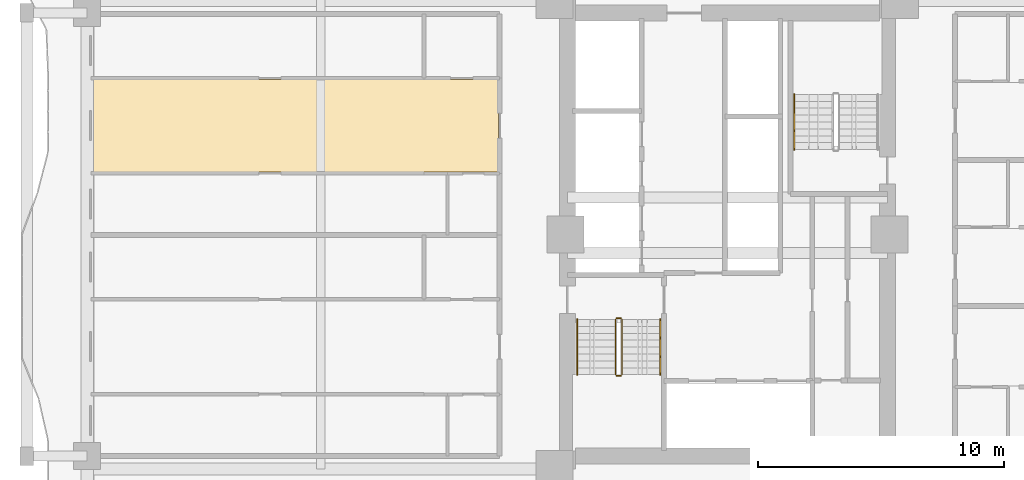
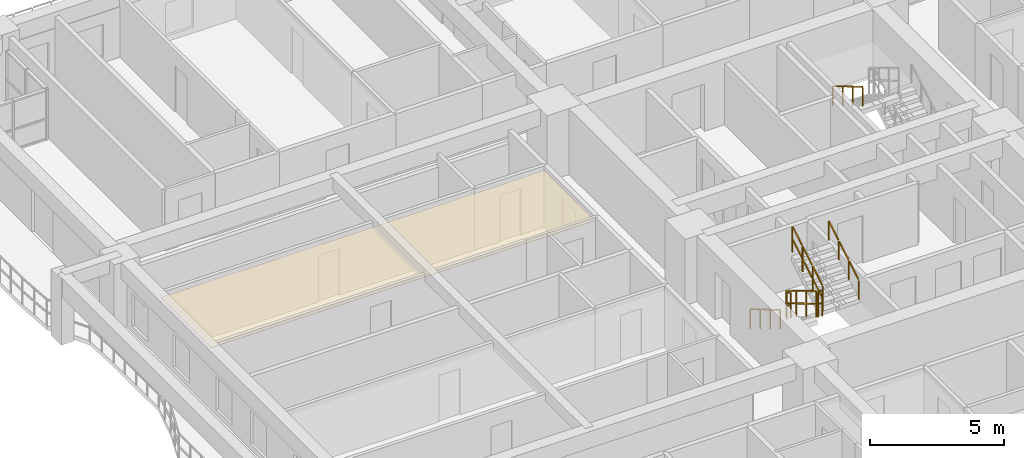
# One storey, part 24 of 27: 7 railings, 1 covering.
"""IFC4 building model written with IfcOpenShell, lengths in metres."""

from ifc_helpers import new_model, si_unit, direction, frame, origin, origin_2d, place, context, subcontext, project, spatial, polyline, rectangle, outline, extrude, material, layer, layer_set, type_object, element, save


model = new_model("IFC4")

# Units and contexts
model_context = context("Model", 3, precision=1e-05, world=origin(), true_north=direction((0.0, 1.0)))
body_context = subcontext(model_context, "Body", "Model", "MODEL_VIEW")
ifc_project = project(units=[si_unit("LENGTHUNIT", "METRE"), si_unit("AREAUNIT", "SQUARE_METRE"), si_unit("VOLUMEUNIT", "CUBIC_METRE"), si_unit("PLANEANGLEUNIT", "RADIAN"), si_unit("MASSUNIT", "GRAM", prefix="KILO")], contexts=[model_context])

# Site, building, storey
site_placement = place(None, origin())
site = spatial("IfcSite", under=ifc_project, at=site_placement, CompositionType="ELEMENT")
building_placement = place(site_placement, origin())
building = spatial("IfcBuilding", under=site, at=building_placement, Name="Saelheon Loggia Tower", CompositionType="ELEMENT")
storey_placement = place(building_placement, frame((0.0, 0.0, 43.39990234375)))
storey = spatial("IfcBuildingStorey", under=building, at=storey_placement, Name="L13", CompositionType="ELEMENT", Elevation=43.39990234375)

# Covering
ifc_material_1 = material(Name="Mineral-Fibre Acoustic Ceiling Board", Category="gypsum")
ifc_layer = layer(ifc_material_1, 0.02490234375)
ifc_layer_set = layer_set([ifc_layer], Name="Mineral-Fibre Acoustic Ceiling Board")
covering_type = type_object("IfcCoveringType", Name="Cov_Ceiling_Acoustic", PredefinedType="CEILING", material=ifc_layer_set)
covering_placement = place(storey_placement, frame((0.0, 0.0, 2.53515625)))
element("IfcCovering", 1, at=covering_placement, inside=storey, type_object=covering_type, Name="L13 Acoustic Suspended Ceiling", PredefinedType="CEILING", context=body_context, shape_type="SweptSolid", body=[
    extrude(outline(polyline([(12.199951171875, 29.5380859375), (28.699951171875, 29.5380859375), (28.699951171875, 33.300048828125), (12.199951171875, 33.300048828125), (12.199951171875, 29.5380859375)])), origin(), (0.0, 0.0, 1.0), 0.02490234375),
])

# Railings
ifc_material_2 = material(Name="Galvanised Steel S275 Stairwell Guardrail", Category="steel")
railing_type_1 = type_object("IfcRailingType", Name="Guard_StairWell_RL_STG", PredefinedType="GUARDRAIL", material=ifc_material_2)
railing_1_placement = place(storey_placement, frame((33.4599609375, 23.550048828125, 0.166748046875)))
element("IfcRailing", 2, at=railing_1_placement, inside=storey, type_object=railing_type_1, Name="L13 ST1 stair guard 1", PredefinedType="GUARDRAIL", context=body_context, shape_type="SweptSolid", body=[
    extrude(rectangle(XDim=0.048095703125, YDim=0.048095703125, at=origin_2d()), frame((0.0, -0.028564453125, 1.19287109375), z_axis=(0.0, -0.859305625298, 0.511462454469), x_axis=(1.0, 0.0, 0.0)), (0.0, 0.0, 1.0), 0.802490234375),
    extrude(rectangle(XDim=0.048095703125, YDim=0.048095703125, at=origin_2d()), frame((0.0, -0.028564453125, 0.616943359375), z_axis=(0.0, -0.859305625298, 0.511462454469), x_axis=(1.0, 0.0, 0.0)), (0.0, 0.0, 1.0), 0.802490234375),
    extrude(rectangle(XDim=0.048095703125, YDim=0.048095703125, at=origin_2d()), frame((0.0, -0.775146484375, 1.63720703125), z_axis=(0.0, -0.859305625298, 0.511462454469), x_axis=(1.0, 0.0, 0.0)), (0.0, 0.0, 1.0), 0.802490234375),
    extrude(rectangle(XDim=0.048095703125, YDim=0.048095703125, at=origin_2d()), frame((0.0, -0.775146484375, 1.061279296875), z_axis=(0.0, -0.859305625298, 0.511462454469), x_axis=(1.0, 0.0, 0.0)), (0.0, 0.0, 1.0), 0.802490234375),
    extrude(rectangle(XDim=0.048095703125, YDim=0.048095703125, at=origin_2d()), frame((0.0, -1.52197265625, 2.081787109375), z_axis=(0.0, -0.859305625298, 0.511462454469), x_axis=(1.0, 0.0, 0.0)), (0.0, 0.0, 1.0), 0.802490234375),
    extrude(rectangle(XDim=0.048095703125, YDim=0.048095703125, at=origin_2d()), frame((0.0, -1.52197265625, 1.505859375), z_axis=(0.0, -0.859305625298, 0.511462454469), x_axis=(1.0, 0.0, 0.0)), (0.0, 0.0, 1.0), 0.802490234375),
    extrude(rectangle(XDim=0.0419921875, YDim=0.0419921875, at=origin_2d()), origin(), (0.0, 0.0, 1.0), 1.14794921875),
    extrude(rectangle(XDim=0.0419921875, YDim=0.0419921875, at=origin_2d()), frame((0.0, -0.74658203125, 0.4443359375)), (0.0, 0.0, 1.0), 1.14794921875),
    extrude(rectangle(XDim=0.0419921875, YDim=0.0419921875, at=origin_2d()), frame((0.0, -1.493408203125, 0.888916015625)), (0.0, 0.0, 1.0), 1.14794921875),
    extrude(rectangle(XDim=0.0419921875, YDim=0.0419921875, at=origin_2d()), frame((0.0, -2.239990234375, 1.333251953125)), (0.0, 0.0, 1.0), 1.14794921875),
])
railing_2_placement = place(storey_placement, frame((33.510009765625, 21.260009765625, 1.5)))
element("IfcRailing", 3, at=railing_2_placement, inside=storey, type_object=railing_type_1, Name="L13 ST1 stair guard 2", PredefinedType="GUARDRAIL", context=body_context, shape_type="SweptSolid", body=[
    extrude(rectangle(XDim=0.048095703125, YDim=0.048095703125, at=origin_2d()), frame((0.033203125, 0.0, 1.17578125), z_axis=(1.0, 0.0, 0.0), x_axis=(0.0, 1.0, 0.0)), (0.0, 0.0, 1.0), 0.093505859375),
    extrude(rectangle(XDim=0.048095703125, YDim=0.048095703125, at=origin_2d()), frame((0.033203125, 0.0, 0.60009765625), z_axis=(1.0, 0.0, 0.0), x_axis=(0.0, 1.0, 0.0)), (0.0, 0.0, 1.0), 0.093505859375),
    extrude(rectangle(XDim=0.0419921875, YDim=0.0419921875, at=origin_2d()), origin(), (0.0, 0.0, 1.0), 1.14794921875),
    extrude(rectangle(XDim=0.0419921875, YDim=0.0419921875, at=origin_2d()), frame((0.159912109375, 0.0, 0.0)), (0.0, 0.0, 1.0), 1.14794921875),
])
railing_3_placement = place(storey_placement, frame((33.719970703125, 21.31005859375, 1.666748046875)))
element("IfcRailing", 4, at=railing_3_placement, inside=storey, type_object=railing_type_1, Name="L13 ST1 stair guard 3", PredefinedType="GUARDRAIL", context=body_context, shape_type="SweptSolid", body=[
    extrude(rectangle(XDim=0.048095703125, YDim=0.048095703125, at=origin_2d()), frame((0.0, 0.028564453125, 1.19287109375), z_axis=(0.0, 0.859305625298, 0.511462454469), x_axis=(-1.0, 0.0, 0.0)), (0.0, 0.0, 1.0), 0.802490234375),
    extrude(rectangle(XDim=0.048095703125, YDim=0.048095703125, at=origin_2d()), frame((0.0, 0.028564453125, 0.616943359375), z_axis=(0.0, 0.859305625298, 0.511462454469), x_axis=(-1.0, 0.0, 0.0)), (0.0, 0.0, 1.0), 0.802490234375),
    extrude(rectangle(XDim=0.048095703125, YDim=0.048095703125, at=origin_2d()), frame((0.0, 0.775146484375, 1.63720703125), z_axis=(0.0, 0.859305625298, 0.511462454469), x_axis=(-1.0, 0.0, 0.0)), (0.0, 0.0, 1.0), 0.802490234375),
    extrude(rectangle(XDim=0.048095703125, YDim=0.048095703125, at=origin_2d()), frame((0.0, 0.775146484375, 1.061279296875), z_axis=(0.0, 0.859305625298, 0.511462454469), x_axis=(-1.0, 0.0, 0.0)), (0.0, 0.0, 1.0), 0.802490234375),
    extrude(rectangle(XDim=0.048095703125, YDim=0.048095703125, at=origin_2d()), frame((0.0, 1.52197265625, 2.081787109375), z_axis=(0.0, 0.859305625298, 0.511462454469), x_axis=(-1.0, 0.0, 0.0)), (0.0, 0.0, 1.0), 0.802490234375),
    extrude(rectangle(XDim=0.048095703125, YDim=0.048095703125, at=origin_2d()), frame((0.0, 1.52197265625, 1.505859375), z_axis=(0.0, 0.859305625298, 0.511462454469), x_axis=(-1.0, 0.0, 0.0)), (0.0, 0.0, 1.0), 0.802490234375),
    extrude(rectangle(XDim=0.0419921875, YDim=0.0419921875, at=origin_2d()), origin(), (0.0, 0.0, 1.0), 1.14794921875),
    extrude(rectangle(XDim=0.0419921875, YDim=0.0419921875, at=origin_2d()), frame((0.0, 0.74658203125, 0.4443359375)), (0.0, 0.0, 1.0), 1.14794921875),
    extrude(rectangle(XDim=0.0419921875, YDim=0.0419921875, at=origin_2d()), frame((0.0, 1.493408203125, 0.888916015625)), (0.0, 0.0, 1.0), 1.14794921875),
    extrude(rectangle(XDim=0.0419921875, YDim=0.0419921875, at=origin_2d()), frame((0.0, 2.239990234375, 1.333251953125)), (0.0, 0.0, 1.0), 1.14794921875),
])
railing_4_placement = place(storey_placement, frame((33.510009765625, 23.60009765625, 0.0)))
element("IfcRailing", 5, at=railing_4_placement, inside=storey, type_object=railing_type_1, Name="L13 ST1 stair guard 4", PredefinedType="GUARDRAIL", context=body_context, shape_type="SweptSolid", body=[
    extrude(rectangle(XDim=0.048095703125, YDim=0.048095703125, at=origin_2d()), frame((0.033203125, 0.0, 1.17578125), z_axis=(1.0, 0.0, 0.0), x_axis=(0.0, 1.0, 0.0)), (0.0, 0.0, 1.0), 0.093505859375),
    extrude(rectangle(XDim=0.048095703125, YDim=0.048095703125, at=origin_2d()), frame((0.033203125, 0.0, 0.60009765625), z_axis=(1.0, 0.0, 0.0), x_axis=(0.0, 1.0, 0.0)), (0.0, 0.0, 1.0), 0.093505859375),
    extrude(rectangle(XDim=0.0419921875, YDim=0.0419921875, at=origin_2d()), origin(), (0.0, 0.0, 1.0), 1.14794921875),
    extrude(rectangle(XDim=0.0419921875, YDim=0.0419921875, at=origin_2d()), frame((0.159912109375, 0.0, 0.0)), (0.0, 0.0, 1.0), 1.14794921875),
])
ifc_material_3 = material(Name="Stainless Steel 304 Tubular Handrail", Category="steel")
railing_type_2 = type_object("IfcRailingType", Name="Handrail_Stair_RL_HR1", PredefinedType="HANDRAIL", material=ifc_material_3)
railing_5_placement = place(storey_placement, frame((31.89990234375, 23.550048828125, 0.166748046875)))
element("IfcRailing", 6, at=railing_5_placement, inside=storey, type_object=railing_type_2, Name="L13 ST1 stair handrail 1", PredefinedType="HANDRAIL", context=body_context, shape_type="SweptSolid", body=[
    extrude(rectangle(XDim=0.048095703125, YDim=0.048095703125, at=origin_2d()), frame((0.0, -0.028564453125, 0.892822265625), z_axis=(0.0, -0.859305625298, 0.511462454469), x_axis=(1.0, 0.0, 0.0)), (0.0, 0.0, 1.0), 0.802490234375),
    extrude(rectangle(XDim=0.048095703125, YDim=0.048095703125, at=origin_2d()), frame((0.0, -0.775146484375, 1.337158203125), z_axis=(0.0, -0.859305625298, 0.511462454469), x_axis=(1.0, 0.0, 0.0)), (0.0, 0.0, 1.0), 0.802490234375),
    extrude(rectangle(XDim=0.048095703125, YDim=0.048095703125, at=origin_2d()), frame((0.0, -1.52197265625, 1.78173828125), z_axis=(0.0, -0.859305625298, 0.511462454469), x_axis=(1.0, 0.0, 0.0)), (0.0, 0.0, 1.0), 0.802490234375),
    extrude(rectangle(XDim=0.0419921875, YDim=0.0419921875, at=origin_2d()), origin(), (0.0, 0.0, 1.0), 0.847900390625),
    extrude(rectangle(XDim=0.0419921875, YDim=0.0419921875, at=origin_2d()), frame((0.0, -0.74658203125, 0.4443359375)), (0.0, 0.0, 1.0), 0.847900390625),
    extrude(rectangle(XDim=0.0419921875, YDim=0.0419921875, at=origin_2d()), frame((0.0, -1.493408203125, 0.888916015625)), (0.0, 0.0, 1.0), 0.847900390625),
    extrude(rectangle(XDim=0.0419921875, YDim=0.0419921875, at=origin_2d()), frame((0.0, -2.239990234375, 1.333251953125)), (0.0, 0.0, 1.0), 0.847900390625),
])
railing_6_placement = place(storey_placement, frame((35.280029296875, 21.31005859375, 1.666748046875)))
element("IfcRailing", 7, at=railing_6_placement, inside=storey, type_object=railing_type_2, Name="L13 ST1 stair handrail 2", PredefinedType="HANDRAIL", context=body_context, shape_type="SweptSolid", body=[
    extrude(rectangle(XDim=0.048095703125, YDim=0.048095703125, at=origin_2d()), frame((0.0, 0.028564453125, 0.892822265625), z_axis=(0.0, 0.859305625298, 0.511462454469), x_axis=(-1.0, 0.0, 0.0)), (0.0, 0.0, 1.0), 0.802490234375),
    extrude(rectangle(XDim=0.048095703125, YDim=0.048095703125, at=origin_2d()), frame((0.0, 0.775146484375, 1.337158203125), z_axis=(0.0, 0.859305625298, 0.511462454469), x_axis=(-1.0, 0.0, 0.0)), (0.0, 0.0, 1.0), 0.802490234375),
    extrude(rectangle(XDim=0.048095703125, YDim=0.048095703125, at=origin_2d()), frame((0.0, 1.52197265625, 1.78173828125), z_axis=(0.0, 0.859305625298, 0.511462454469), x_axis=(-1.0, 0.0, 0.0)), (0.0, 0.0, 1.0), 0.802490234375),
    extrude(rectangle(XDim=0.0419921875, YDim=0.0419921875, at=origin_2d()), origin(), (0.0, 0.0, 1.0), 0.847900390625),
    extrude(rectangle(XDim=0.0419921875, YDim=0.0419921875, at=origin_2d()), frame((0.0, 0.74658203125, 0.4443359375)), (0.0, 0.0, 1.0), 0.847900390625),
    extrude(rectangle(XDim=0.0419921875, YDim=0.0419921875, at=origin_2d()), frame((0.0, 1.493408203125, 0.888916015625)), (0.0, 0.0, 1.0), 0.847900390625),
    extrude(rectangle(XDim=0.0419921875, YDim=0.0419921875, at=origin_2d()), frame((0.0, 2.239990234375, 1.333251953125)), (0.0, 0.0, 1.0), 0.847900390625),
])
railing_7_placement = place(storey_placement, frame((40.719970703125, 32.68994140625, 1.666748046875)))
element("IfcRailing", 8, at=railing_7_placement, inside=storey, type_object=railing_type_2, Name="L13 ST2 stair handrail 2", PredefinedType="HANDRAIL", context=body_context, shape_type="SweptSolid", body=[
    extrude(rectangle(XDim=0.048095703125, YDim=0.048095703125, at=origin_2d()), frame((0.0, -0.028564453125, 0.892822265625), z_axis=(0.0, -0.859305625298, 0.511462454469), x_axis=(1.0, 0.0, 0.0)), (0.0, 0.0, 1.0), 0.802490234375),
    extrude(rectangle(XDim=0.048095703125, YDim=0.048095703125, at=origin_2d()), frame((0.0, -0.775146484375, 1.337158203125), z_axis=(0.0, -0.859305625298, 0.511462454469), x_axis=(1.0, 0.0, 0.0)), (0.0, 0.0, 1.0), 0.802490234375),
    extrude(rectangle(XDim=0.048095703125, YDim=0.048095703125, at=origin_2d()), frame((0.0, -1.52197265625, 1.78173828125), z_axis=(0.0, -0.859305625298, 0.511462454469), x_axis=(1.0, 0.0, 0.0)), (0.0, 0.0, 1.0), 0.802490234375),
    extrude(rectangle(XDim=0.0419921875, YDim=0.0419921875, at=origin_2d()), origin(), (0.0, 0.0, 1.0), 0.847900390625),
    extrude(rectangle(XDim=0.0419921875, YDim=0.0419921875, at=origin_2d()), frame((0.0, -0.74658203125, 0.4443359375)), (0.0, 0.0, 1.0), 0.847900390625),
    extrude(rectangle(XDim=0.0419921875, YDim=0.0419921875, at=origin_2d()), frame((0.0, -1.493408203125, 0.888916015625)), (0.0, 0.0, 1.0), 0.847900390625),
    extrude(rectangle(XDim=0.0419921875, YDim=0.0419921875, at=origin_2d()), frame((0.0, -2.239990234375, 1.333251953125)), (0.0, 0.0, 1.0), 0.847900390625),
])

save(model, "model.ifc")
